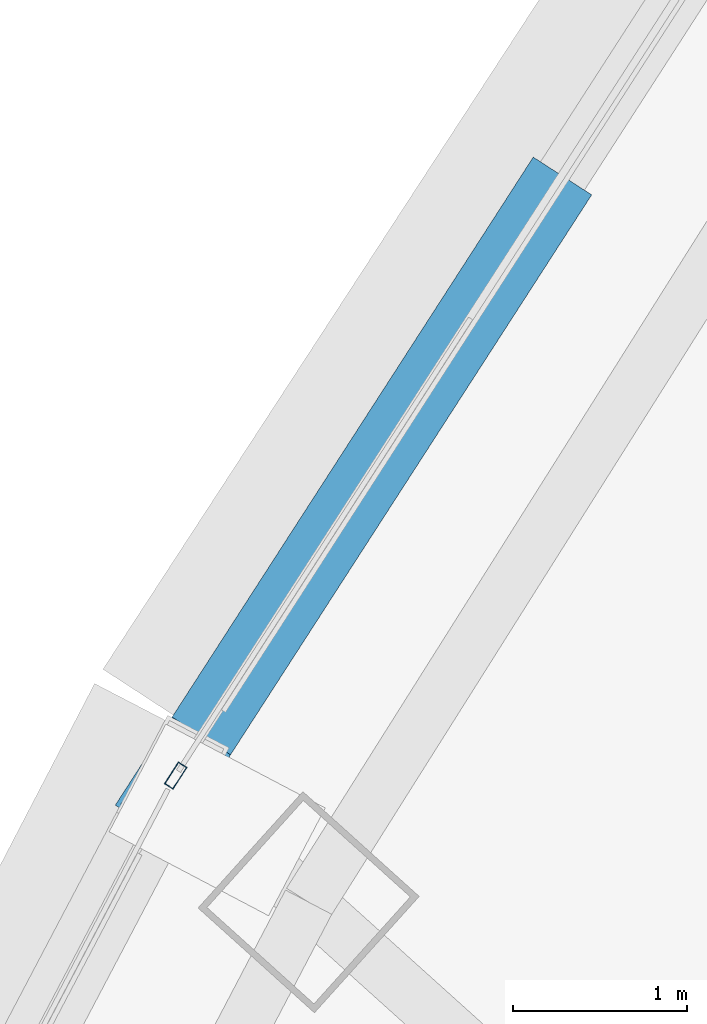
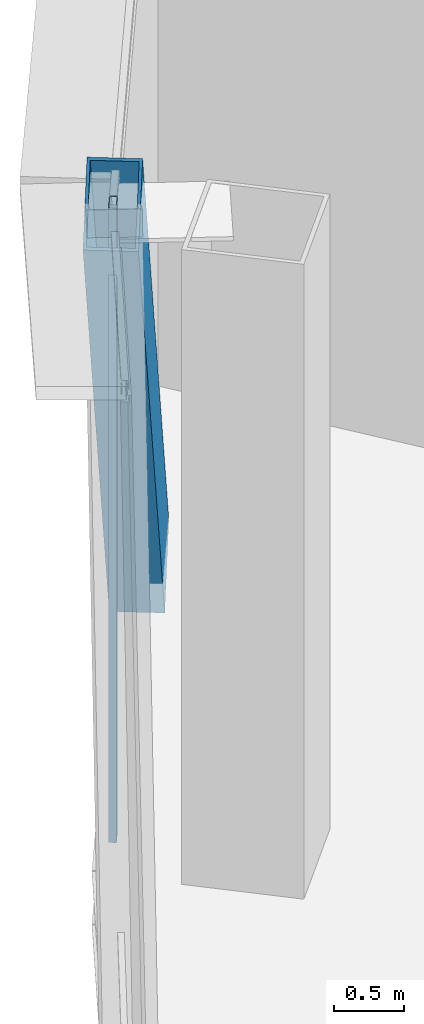
# One storey, part 16 of 38: 2 members, 1 element without a shape of its own.
"""IFC4 building model written with IfcOpenShell, lengths in metres."""

import ifcopenshell
import ifcopenshell.guid

model = None  # the IFC model being written
_history = None  # IfcOwnerHistory: only IFC2X3 demands one
_inside = {}  # id of a spatial element -> (the spatial element, [elements in it])
_under = {}  # id of a project, library or spatial element -> (it, [spatial elements below it])
_declared = {}  # id of a project -> (the project, [libraries it declares])
_typed = {}  # id of a type object -> (the type object, [elements of that type])
_made_of = {}  # id of a material, layer set ... -> (it, [elements and type objects made of it])


def new_model(schema):
    """Start an empty IFC model of exactly this schema.

    Asked for "IFC4X3", IfcOpenShell would pick the latest addendum, in which some entities
    have other attributes; the version numbers below select the first issue.
    IFC2X3 requires an IfcOwnerHistory on every rooted entity: one is made here for all.
    """
    global model, _history
    if schema == "IFC4X3":
        model = ifcopenshell.file(schema_version=(4, 3, 0, 0))
    else:
        model = ifcopenshell.file(schema=schema)
    _inside.clear()
    _under.clear()
    _declared.clear()
    _typed.clear()
    _made_of.clear()
    _history = None
    if model.schema == "IFC2X3":
        org = make("IfcOrganization", Name="unknown")
        user = make(
            "IfcPersonAndOrganization",
            ThePerson=make("IfcPerson", FamilyName="unknown"),
            TheOrganization=org,
        )
        app = make(
            "IfcApplication",
            ApplicationDeveloper=org,
            Version="unknown",
            ApplicationFullName="unknown",
            ApplicationIdentifier="unknown",
        )
        _history = make(
            "IfcOwnerHistory",
            OwningUser=user,
            OwningApplication=app,
            ChangeAction="ADDED",
            CreationDate=0,
        )
    return model


def make(cls, **values):
    """One entity of the class cls with the attributes given. An attribute that is None is left unset."""
    return model.create_entity(
        cls, **{name: value for name, value in values.items() if value is not None}
    )


def rooted(cls, **values):
    """An entity with a GlobalId (a new one), such as an element, a storey or a relation."""
    return make(cls, GlobalId=ifcopenshell.guid.new(), OwnerHistory=_history, **values)


def si_unit(unit_type, name, prefix=None):
    """IfcSIUnit, for example si_unit("LENGTHUNIT", "METRE", prefix="MILLI")."""
    return make("IfcSIUnit", UnitType=unit_type, Prefix=prefix, Name=name)


def assignment(units):
    """IfcUnitAssignment: the units of a project."""
    return None if units is None else make("IfcUnitAssignment", Units=units)


def point(xyz):
    """IfcCartesianPoint."""
    return None if xyz is None else make("IfcCartesianPoint", Coordinates=xyz)


def direction(xyz):
    """IfcDirection."""
    return None if xyz is None else make("IfcDirection", DirectionRatios=xyz)


def frame(location, z_axis=None, x_axis=None):
    """IfcAxis2Placement3D, a coordinate frame: its origin and axes. An axis left out is left unset."""
    return make(
        "IfcAxis2Placement3D",
        Location=point(location),
        Axis=direction(z_axis),
        RefDirection=direction(x_axis),
    )


def frame_2d(location, x_axis=None):
    """IfcAxis2Placement2D, a coordinate frame in the plane: its origin and x axis."""
    return make(
        "IfcAxis2Placement2D", Location=point(location), RefDirection=direction(x_axis)
    )


def origin():
    """The frame at (0, 0, 0) with its axes left unset."""
    return frame((0.0, 0.0, 0.0))


def origin_2d():
    """The frame at (0, 0) in the plane with its x axis left unset."""
    return frame_2d((0.0, 0.0))


def place(relative_to, where):
    """IfcLocalPlacement: puts the frame where relative to a parent placement (None: the world)."""
    return make(
        "IfcLocalPlacement", PlacementRelTo=relative_to, RelativePlacement=where
    )


def context(
    kind, dimensions, precision=None, world=None, true_north=None, identifier=None
):
    """IfcGeometricRepresentationContext, for example the 3D "Model" context."""
    return make(
        "IfcGeometricRepresentationContext",
        ContextIdentifier=identifier,
        ContextType=kind,
        CoordinateSpaceDimension=dimensions,
        Precision=precision,
        WorldCoordinateSystem=world,
        TrueNorth=true_north,
    )


def subcontext(parent, identifier, kind, view, scale=None):
    """IfcGeometricRepresentationSubContext, for example "Body" below "Model"."""
    return make(
        "IfcGeometricRepresentationSubContext",
        ContextIdentifier=identifier,
        ContextType=kind,
        ParentContext=parent,
        TargetScale=scale,
        TargetView=view,
    )


def project(units=None, contexts=None):
    """IfcProject with its units and contexts."""
    return rooted(
        "IfcProject",
        Name="project",
        RepresentationContexts=contexts,
        UnitsInContext=assignment(units),
    )


def spatial(cls, under=None, at=None, **own):
    """A site, building, storey or space (cls), placed at a placement, below another one or the project."""
    s = rooted(cls, ObjectPlacement=at, **own)
    if under is not None:
        _under.setdefault(under.id(), (under, []))[1].append(s)
    return s


def profile(cls, at=None, kind="AREA", **sizes):
    """A parametric profile (cls). Its sizes go by their IFC names, for example OverallWidth=200.0."""
    return make(cls, ProfileType=kind, Position=at, **sizes)


def hollow_rectangle(**sizes):
    """IfcRectangleHollowProfileDef."""
    return profile("IfcRectangleHollowProfileDef", **sizes)


def extrude(swept, where, along, depth):
    """IfcExtrudedAreaSolid: the profile swept, set in the frame where, extruded along a direction by depth."""
    return make(
        "IfcExtrudedAreaSolid",
        SweptArea=swept,
        Position=where,
        ExtrudedDirection=direction(along),
        Depth=depth,
    )


def shape(context_of_items, identifier, shape_type, items):
    """IfcShapeRepresentation: the items that make up one representation, for example the "Body"."""
    return make(
        "IfcShapeRepresentation",
        ContextOfItems=context_of_items,
        RepresentationIdentifier=identifier,
        RepresentationType=shape_type,
        Items=items,
    )


def source(mapping_origin, context_of_items, identifier, shape_type, items):
    """IfcRepresentationMap: a shape defined once, which mapped items show again and again."""
    return make(
        "IfcRepresentationMap",
        MappingOrigin=mapping_origin,
        MappedRepresentation=shape(context_of_items, identifier, shape_type, items),
    )


def transform(
    local_origin,
    x_axis=None,
    y_axis=None,
    z_axis=None,
    scale=None,
    scale2=None,
    scale3=None,
    uniform=True,
):
    """IfcCartesianTransformationOperator3D, or its non-uniform kind. x_axis, y_axis, z_axis: its Axis1, 2, 3."""
    if uniform:
        return make(
            "IfcCartesianTransformationOperator3D",
            Axis1=direction(x_axis),
            Axis2=direction(y_axis),
            LocalOrigin=point(local_origin),
            Scale=scale,
            Axis3=direction(z_axis),
        )
    return make(
        "IfcCartesianTransformationOperator3DnonUniform",
        Axis1=direction(x_axis),
        Axis2=direction(y_axis),
        LocalOrigin=point(local_origin),
        Scale=scale,
        Axis3=direction(z_axis),
        Scale2=scale2,
        Scale3=scale3,
    )


def mapped(mapping_source, mapping_target):
    """IfcMappedItem: shows the shape of a source again, moved by a transform."""
    return make(
        "IfcMappedItem", MappingSource=mapping_source, MappingTarget=mapping_target
    )


def material(Name=None, Category=None):
    """IfcMaterial."""
    return make("IfcMaterial", Name=Name, Category=Category)


def layer(
    of_material, thickness, ventilated=None, Name=None, Category=None, Priority=None
):
    """IfcMaterialLayer: one layer of a wall or slab, of a material (None: an air gap)."""
    return make(
        "IfcMaterialLayer",
        Material=of_material,
        LayerThickness=thickness,
        IsVentilated=ventilated,
        Name=Name,
        Category=Category,
        Priority=Priority,
    )


def layer_set(layers, Name=None):
    """IfcMaterialLayerSet."""
    return make("IfcMaterialLayerSet", MaterialLayers=layers, LayerSetName=Name)


def material_profile(
    of_material, cross_section, Name=None, Category=None, Priority=None
):
    """IfcMaterialProfile: a cross section and its material."""
    return make(
        "IfcMaterialProfile",
        Name=Name,
        Material=of_material,
        Profile=cross_section,
        Priority=Priority,
        Category=Category,
    )


def profile_set(profiles, Name=None, composite=None):
    """IfcMaterialProfileSet."""
    return make(
        "IfcMaterialProfileSet",
        Name=Name,
        MaterialProfiles=profiles,
        CompositeProfile=composite,
    )


def made_of(thing, what):
    """Note that an element or type object is made of a material, layer set ...; save() writes the relation."""
    if what is not None:
        _made_of.setdefault(what.id(), (what, []))[1].append(thing)
    return thing


def type_object(cls, material=None, **own):
    """A type object (cls), such as IfcWallType, which elements share."""
    return made_of(rooted(cls, **own), material)


def element(
    cls,
    number,
    at=None,
    inside=None,
    cuts=None,
    type_object=None,
    material=None,
    context=None,
    identifier="Body",
    shape_type=None,
    held_by="IfcProductDefinitionShape",
    body=None,
    shapes=None,
    **own,
):
    """One element of the class cls, such as IfcWall. Its Tag is "e" and its number.

    at: its placement. inside: the storey or other place that contains it. cuts: it is an
    opening in that element (IfcRelVoidsElement). A single representation is given by context,
    identifier, shape_type and body (its items); several are given by shapes. held_by: the class
    of the entity that holds the representations. save() writes the other relations.
    """
    e = rooted(cls, Tag="e%d" % number, ObjectPlacement=at, **own)
    if body is not None:
        shapes = [shape(context, identifier, shape_type, body)]
    if shapes is not None:
        e.Representation = make(held_by, Representations=shapes)
    if inside is not None:
        _inside.setdefault(inside.id(), (inside, []))[1].append(e)
    if cuts is not None:
        rooted(
            "IfcRelVoidsElement", RelatingBuildingElement=cuts, RelatedOpeningElement=e
        )
    if type_object is not None:
        _typed.setdefault(type_object.id(), (type_object, []))[1].append(e)
    return made_of(e, material)


def aggregate(whole, parts):
    """IfcRelAggregates: a whole, such as a stair, and the parts it consists of."""
    return rooted("IfcRelAggregates", RelatingObject=whole, RelatedObjects=parts)


def save(model, path):
    """Write the relations noted so far, then the file.

    IfcRelAggregates (storeys below a building ...), IfcRelContainedInSpatialStructure (elements
    in a storey), IfcRelDefinesByType, IfcRelAssociatesMaterial and IfcRelDeclares: one each for
    every whole, place, type object, material and project.
    """
    for whole, parts in _under.values():
        aggregate(whole, parts)
    for where, things in _inside.values():
        rooted(
            "IfcRelContainedInSpatialStructure",
            RelatedElements=things,
            RelatingStructure=where,
        )
    for kind, things in _typed.values():
        rooted("IfcRelDefinesByType", RelatedObjects=things, RelatingType=kind)
    for what, things in _made_of.values():
        rooted("IfcRelAssociatesMaterial", RelatedObjects=things, RelatingMaterial=what)
    for by, libraries in _declared.values():
        rooted("IfcRelDeclares", RelatingContext=by, RelatedDefinitions=libraries)
    model.write(path)


model = new_model("IFC4")

# Units and contexts
model_context = context("Model", 3, precision=1e-05, world=origin(), true_north=direction((0.0, 1.0)))
body_context = subcontext(model_context, "Body", "Model", "MODEL_VIEW")
ifc_project = project(units=[si_unit("LENGTHUNIT", "METRE"), si_unit("AREAUNIT", "SQUARE_METRE"), si_unit("VOLUMEUNIT", "CUBIC_METRE"), si_unit("PLANEANGLEUNIT", "RADIAN"), si_unit("MASSUNIT", "GRAM", prefix="KILO"), si_unit("THERMODYNAMICTEMPERATUREUNIT", "KELVIN"), si_unit("POWERUNIT", "WATT")], contexts=[model_context])

# Site, building, storey
site_placement = place(None, origin())
site = spatial("IfcSite", under=ifc_project, at=site_placement, CompositionType="ELEMENT")
building_placement = place(site_placement, origin())
building = spatial("IfcBuilding", under=site, at=building_placement, Name="Yunzhuo Pagoda Commons", CompositionType="ELEMENT")
storey_placement = place(building_placement, frame((0.0, 0.0, 218.9599609375)))
storey = spatial("IfcBuildingStorey", under=building, at=storey_placement, Name="L55", CompositionType="ELEMENT", Elevation=218.9599609375)

# Member
ifc_material_1 = material(Name="Structural steel Q355B", Category="steel")
ifc_material_profile_1 = material_profile(ifc_material_1, hollow_rectangle(XDim=0.39990234375, YDim=0.719970703125, WallThickness=0.02392578125, at=origin_2d()), Name="Structural steel Q355B")
ifc_profile_set_1 = profile_set([ifc_material_profile_1], Name="Structural steel Q355B")
member_type_1 = type_object("IfcMemberType", Name="M-DL2 Brace BOX 720x400x24", PredefinedType="BRACE", material=ifc_profile_set_1)
shared_shape_1 = source(origin(), body_context, "Body", "SweptSolid", [
    extrude(hollow_rectangle(XDim=0.39990234375, YDim=0.719970703125, WallThickness=0.02392578125, at=origin_2d()), origin(), (0.0, 0.0, 1.0), 6.99267578125),
])
member_1_placement = place(storey_placement, frame((26.645263671875, 58.016357421875, -0.280029296875), z_axis=(-0.296911070423, -0.460344833435, 0.8366160712), x_axis=(0.840367823728, -0.542016531891, 0.0)))
element("IfcMember", 1, at=member_1_placement, inside=storey, type_object=member_type_1, Name="L55 facade diamond brace F3.1R", PredefinedType="BRACE", context=body_context, shape_type="MappedRepresentation", body=[
    mapped(shared_shape_1, transform((0.0, 0.0, 0.0), scale=1.0)),
])

# Curtain wall, member
ifc_material_2 = material(Name="Anodized aluminium 6063-T6", Category="aluminium")
ifc_layer = layer(ifc_material_2, 0.14990234375)
ifc_layer_set = layer_set([ifc_layer], Name="Anodized aluminium 6063-T6")
curtain_wall_type = type_object("IfcCurtainWallType", Name="CW-MID Mid-Zone Ribbon Curtain Wall", PredefinedType="NOTDEFINED", material=ifc_layer_set)
curtain_wall_placement = place(storey_placement, origin())
curtain_wall = element("IfcCurtainWall", 2, at=curtain_wall_placement, inside=storey, type_object=curtain_wall_type, Name="L55 curtain wall CW-L55-F3B2", PredefinedType="NOTDEFINED")
ifc_material_profile_2 = material_profile(ifc_material_2, hollow_rectangle(XDim=0.06005859375, YDim=0.14990234375, WallThickness=0.00390625, at=origin_2d()), Name="Anodized aluminium 6063-T6")
ifc_profile_set_2 = profile_set([ifc_material_profile_2], Name="Anodized aluminium 6063-T6")
member_type_2 = type_object("IfcMemberType", Name="CW-MID-M Mullion RHS 150x60x4", PredefinedType="MULLION", material=ifc_profile_set_2)
shared_shape_2 = source(origin(), body_context, "Body", "SweptSolid", [
    extrude(hollow_rectangle(XDim=0.06005859375, YDim=0.14990234375, WallThickness=0.00390625, at=origin_2d()), origin(), (0.0, 0.0, 1.0), 5.570068359375),
])
member_2_placement = place(storey_placement, frame((24.585205078125, 54.822509765625, 0.0), z_axis=(0.0, 0.0, 1.0), x_axis=(0.840364735299, -0.542021320305, 0.0)))
member_2 = element("IfcMember", 3, at=member_2_placement, type_object=member_type_2, Name="CW mullion 2", PredefinedType="MULLION", context=body_context, shape_type="MappedRepresentation", body=[
    mapped(shared_shape_2, transform((0.0, 0.0, 0.0), scale=1.0)),
])
aggregate(curtain_wall, [member_2])

save(model, "model.ifc")
